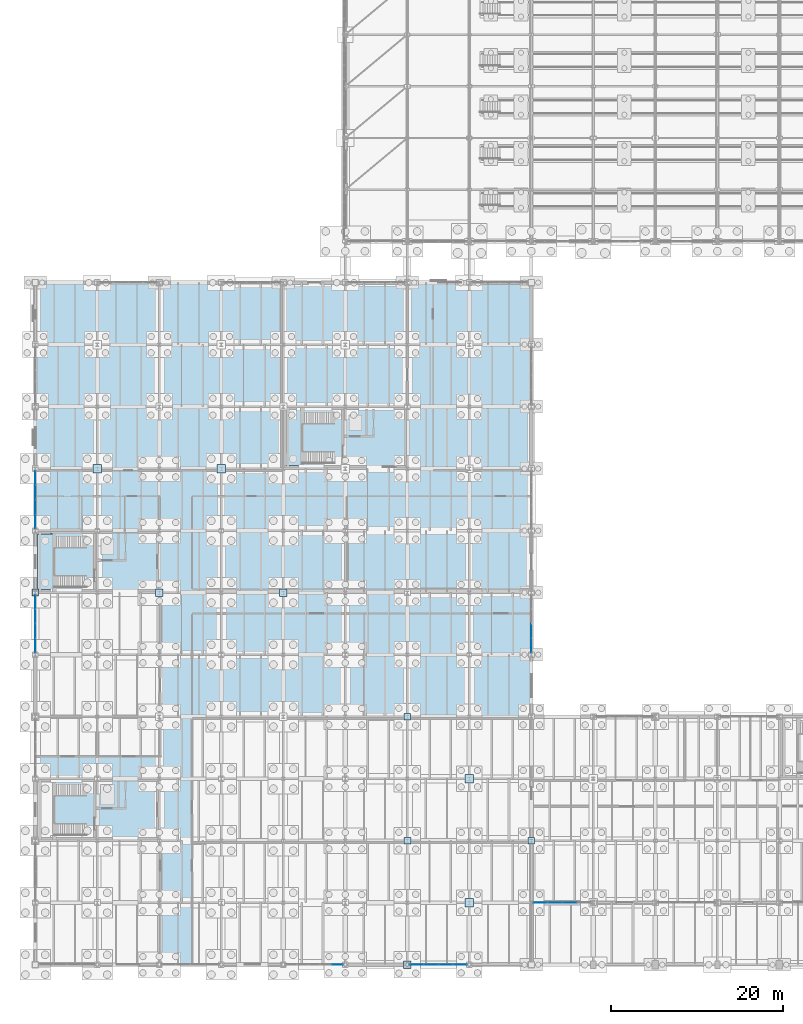
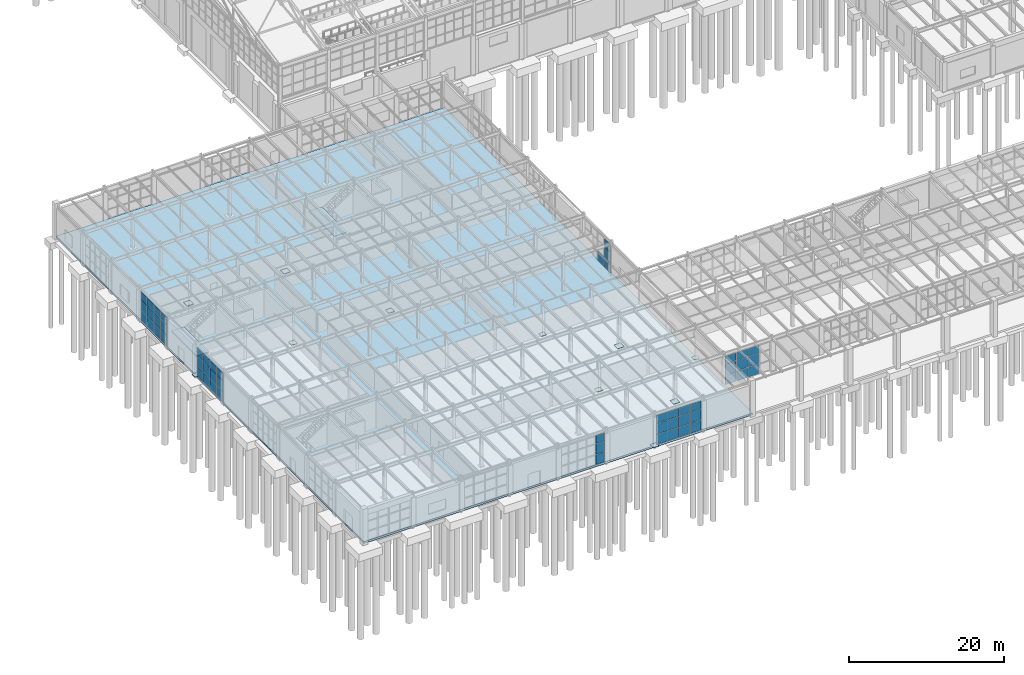
# One storey, part 233 of 293: 63 plates, 3 slabs, 8 elements without a shape of their own.
"""IFC4 building model written with IfcOpenShell, lengths in metres."""

from ifc_helpers import new_model, si_unit, direction, frame, origin, origin_2d, place, context, subcontext, project, spatial, polyline, rectangle, outline, extrude, material, layer, layer_set, type_object, element, aggregate, save


model = new_model("IFC4")

# Units and contexts
model_context = context("Model", 3, precision=1e-05, world=origin(), true_north=direction((0.0, 1.0)))
body_context = subcontext(model_context, "Body", "Model", "MODEL_VIEW")
ifc_project = project(units=[si_unit("LENGTHUNIT", "METRE"), si_unit("AREAUNIT", "SQUARE_METRE"), si_unit("VOLUMEUNIT", "CUBIC_METRE"), si_unit("PLANEANGLEUNIT", "RADIAN"), si_unit("MASSUNIT", "GRAM", prefix="KILO")], contexts=[model_context])

# Site, building, storey
site_placement = place(None, origin())
site = spatial("IfcSite", under=ifc_project, at=site_placement, CompositionType="ELEMENT")
building_placement = place(site_placement, origin())
building = spatial("IfcBuilding", under=site, at=building_placement, Name="Kemerveld Promenade Tramway Depot", CompositionType="ELEMENT")
storey_placement = place(building_placement, origin())
storey = spatial("IfcBuildingStorey", under=building, at=storey_placement, Name="L00", CompositionType="ELEMENT", Elevation=0.0)

# Curtain wall, plates
ifc_material_1 = material(Name="Bronze anodised aluminium and solar glass", Category="aluminium")
ifc_layer_1 = layer(ifc_material_1, 0.159912109375)
ifc_layer_set_1 = layer_set([ifc_layer_1], Name="CW-SYS-09")
curtain_wall_type_1 = type_object("IfcCurtainWallType", Name="CW-SYS-09", PredefinedType="USERDEFINED", material=ifc_layer_set_1)
curtain_wall_1_placement = place(storey_placement, origin())
curtain_wall_1 = element("IfcCurtainWall", 1, at=curtain_wall_1_placement, inside=storey, type_object=curtain_wall_type_1, Name="CW-L00-V5W-06", ObjectType="GLAZED_CURTAIN_WALL", PredefinedType="USERDEFINED")
ifc_material_2 = material(Name="Solar-control laminated double glazing", Category="glass")
ifc_layer_2 = layer(ifc_material_2, 0.028076171875)
ifc_layer_set_2 = layer_set([ifc_layer_2], Name="CW-PNL-01")
plate_type_1 = type_object("IfcPlateType", Name="CW-PNL-01", PredefinedType="CURTAIN_PANEL", material=ifc_layer_set_2)
plate_1_placement = place(storey_placement, frame((0.0, 37.071044921875, 0.06005859375), z_axis=(0.0, 0.0, 1.0), x_axis=(0.0, 1.0, 0.0)))
plate_1 = element("IfcPlate", 2, at=plate_1_placement, type_object=plate_type_1, Name="CW09 panel 1.1", PredefinedType="CURTAIN_PANEL", context=body_context, shape_type="SweptSolid", body=[
    extrude(rectangle(XDim=1.599365234375, YDim=0.028076171875, at=origin_2d()), origin(), (0.0, 0.0, 1.0), 1.51806640625),
])
plate_2_placement = place(storey_placement, frame((0.0, 37.071044921875, 1.63818359375), z_axis=(0.0, 0.0, 1.0), x_axis=(0.0, 1.0, 0.0)))
plate_2 = element("IfcPlate", 3, at=plate_2_placement, type_object=plate_type_1, Name="CW09 panel 1.2", PredefinedType="CURTAIN_PANEL", context=body_context, shape_type="SweptSolid", body=[
    extrude(rectangle(XDim=1.599365234375, YDim=0.028076171875, at=origin_2d()), origin(), (0.0, 0.0, 1.0), 1.638916015625),
])
plate_3_placement = place(storey_placement, frame((0.0, 37.071044921875, 3.337158203125), z_axis=(0.0, 0.0, 1.0), x_axis=(0.0, 1.0, 0.0)))
plate_3 = element("IfcPlate", 4, at=plate_3_placement, type_object=plate_type_1, Name="CW09 panel 1.3", PredefinedType="CURTAIN_PANEL", context=body_context, shape_type="SweptSolid", body=[
    extrude(rectangle(XDim=1.599365234375, YDim=0.028076171875, at=origin_2d()), origin(), (0.0, 0.0, 1.0), 1.1962890625),
])
plate_4_placement = place(storey_placement, frame((0.0, 38.75146484375, 0.06005859375), z_axis=(0.0, 0.0, 1.0), x_axis=(0.0, 1.0, 0.0)))
plate_4 = element("IfcPlate", 5, at=plate_4_placement, type_object=plate_type_1, Name="CW09 panel 2.1", PredefinedType="CURTAIN_PANEL", context=body_context, shape_type="SweptSolid", body=[
    extrude(rectangle(XDim=1.6318359375, YDim=0.028076171875, at=origin_2d()), origin(), (0.0, 0.0, 1.0), 1.51806640625),
])
plate_5_placement = place(storey_placement, frame((0.0, 38.75146484375, 1.63818359375), z_axis=(0.0, 0.0, 1.0), x_axis=(0.0, 1.0, 0.0)))
plate_5 = element("IfcPlate", 6, at=plate_5_placement, type_object=plate_type_1, Name="CW09 panel 2.2", PredefinedType="CURTAIN_PANEL", context=body_context, shape_type="SweptSolid", body=[
    extrude(rectangle(XDim=1.6318359375, YDim=0.028076171875, at=origin_2d()), origin(), (0.0, 0.0, 1.0), 1.638916015625),
])
plate_6_placement = place(storey_placement, frame((0.0, 38.75146484375, 3.337158203125), z_axis=(0.0, 0.0, 1.0), x_axis=(0.0, 1.0, 0.0)))
plate_6 = element("IfcPlate", 7, at=plate_6_placement, type_object=plate_type_1, Name="CW09 panel 2.3", PredefinedType="CURTAIN_PANEL", context=body_context, shape_type="SweptSolid", body=[
    extrude(rectangle(XDim=1.6318359375, YDim=0.028076171875, at=origin_2d()), origin(), (0.0, 0.0, 1.0), 1.1962890625),
])
plate_7_placement = place(storey_placement, frame((0.0, 40.448486328125, 0.06005859375), z_axis=(0.0, 0.0, 1.0), x_axis=(0.0, 1.0, 0.0)))
plate_7 = element("IfcPlate", 8, at=plate_7_placement, type_object=plate_type_1, Name="CW09 panel 3.1", PredefinedType="CURTAIN_PANEL", context=body_context, shape_type="SweptSolid", body=[
    extrude(rectangle(XDim=1.6318359375, YDim=0.028076171875, at=origin_2d()), origin(), (0.0, 0.0, 1.0), 1.51806640625),
])
plate_8_placement = place(storey_placement, frame((0.0, 40.448486328125, 1.63818359375), z_axis=(0.0, 0.0, 1.0), x_axis=(0.0, 1.0, 0.0)))
plate_8 = element("IfcPlate", 9, at=plate_8_placement, type_object=plate_type_1, Name="CW09 panel 3.2", PredefinedType="CURTAIN_PANEL", context=body_context, shape_type="SweptSolid", body=[
    extrude(rectangle(XDim=1.6318359375, YDim=0.028076171875, at=origin_2d()), origin(), (0.0, 0.0, 1.0), 1.638916015625),
])
plate_9_placement = place(storey_placement, frame((0.0, 40.448486328125, 3.337158203125), z_axis=(0.0, 0.0, 1.0), x_axis=(0.0, 1.0, 0.0)))
plate_9 = element("IfcPlate", 10, at=plate_9_placement, type_object=plate_type_1, Name="CW09 panel 3.3", PredefinedType="CURTAIN_PANEL", context=body_context, shape_type="SweptSolid", body=[
    extrude(rectangle(XDim=1.6318359375, YDim=0.028076171875, at=origin_2d()), origin(), (0.0, 0.0, 1.0), 1.1962890625),
])
plate_10_placement = place(storey_placement, frame((0.0, 42.12890625, 0.06005859375), z_axis=(0.0, 0.0, 1.0), x_axis=(0.0, 1.0, 0.0)))
plate_10 = element("IfcPlate", 11, at=plate_10_placement, type_object=plate_type_1, Name="CW09 panel 4.1", PredefinedType="CURTAIN_PANEL", context=body_context, shape_type="SweptSolid", body=[
    extrude(rectangle(XDim=1.599365234375, YDim=0.028076171875, at=origin_2d()), origin(), (0.0, 0.0, 1.0), 1.51806640625),
])
plate_11_placement = place(storey_placement, frame((0.0, 42.12890625, 1.63818359375), z_axis=(0.0, 0.0, 1.0), x_axis=(0.0, 1.0, 0.0)))
plate_11 = element("IfcPlate", 12, at=plate_11_placement, type_object=plate_type_1, Name="CW09 panel 4.2", PredefinedType="CURTAIN_PANEL", context=body_context, shape_type="SweptSolid", body=[
    extrude(rectangle(XDim=1.599365234375, YDim=0.028076171875, at=origin_2d()), origin(), (0.0, 0.0, 1.0), 1.638916015625),
])
plate_12_placement = place(storey_placement, frame((0.0, 42.12890625, 3.337158203125), z_axis=(0.0, 0.0, 1.0), x_axis=(0.0, 1.0, 0.0)))
plate_12 = element("IfcPlate", 13, at=plate_12_placement, type_object=plate_type_1, Name="CW09 panel 4.3", PredefinedType="CURTAIN_PANEL", context=body_context, shape_type="SweptSolid", body=[
    extrude(rectangle(XDim=1.599365234375, YDim=0.028076171875, at=origin_2d()), origin(), (0.0, 0.0, 1.0), 1.1962890625),
])
aggregate(curtain_wall_1, [plate_1, plate_2, plate_3, plate_4, plate_5, plate_6, plate_7, plate_8, plate_9, plate_10, plate_11, plate_12])

curtain_wall_2_placement = place(storey_placement, origin())
curtain_wall_2 = element("IfcCurtainWall", 14, at=curtain_wall_2_placement, inside=storey, type_object=curtain_wall_type_1, Name="CW-L00-V5E-06", ObjectType="GLAZED_CURTAIN_WALL", PredefinedType="USERDEFINED")
plate_13_placement = place(storey_placement, frame((57.60009765625, 38.75146484375, 0.06005859375), z_axis=(0.0, 0.0, 1.0), x_axis=(0.0, -1.0, 0.0)))
plate_13 = element("IfcPlate", 15, at=plate_13_placement, type_object=plate_type_1, Name="CW09 panel 3.1", PredefinedType="CURTAIN_PANEL", context=body_context, shape_type="SweptSolid", body=[
    extrude(rectangle(XDim=1.6318359375, YDim=0.028076171875, at=origin_2d()), origin(), (0.0, 0.0, 1.0), 1.51806640625),
])
plate_14_placement = place(storey_placement, frame((57.60009765625, 37.071044921875, 0.06005859375), z_axis=(0.0, 0.0, 1.0), x_axis=(0.0, -1.0, 0.0)))
plate_14 = element("IfcPlate", 16, at=plate_14_placement, type_object=plate_type_1, Name="CW09 panel 4.1", PredefinedType="CURTAIN_PANEL", context=body_context, shape_type="SweptSolid", body=[
    extrude(rectangle(XDim=1.599365234375, YDim=0.028076171875, at=origin_2d()), origin(), (0.0, 0.0, 1.0), 1.51806640625),
])
plate_15_placement = place(storey_placement, frame((57.60009765625, 37.071044921875, 1.63818359375), z_axis=(0.0, 0.0, 1.0), x_axis=(0.0, -1.0, 0.0)))
plate_15 = element("IfcPlate", 17, at=plate_15_placement, type_object=plate_type_1, Name="CW09 panel 4.2", PredefinedType="CURTAIN_PANEL", context=body_context, shape_type="SweptSolid", body=[
    extrude(rectangle(XDim=1.599365234375, YDim=0.028076171875, at=origin_2d()), origin(), (0.0, 0.0, 1.0), 1.638916015625),
])
plate_16_placement = place(storey_placement, frame((57.60009765625, 37.071044921875, 3.337158203125), z_axis=(0.0, 0.0, 1.0), x_axis=(0.0, -1.0, 0.0)))
plate_16 = element("IfcPlate", 18, at=plate_16_placement, type_object=plate_type_1, Name="CW09 panel 4.3", PredefinedType="CURTAIN_PANEL", context=body_context, shape_type="SweptSolid", body=[
    extrude(rectangle(XDim=1.599365234375, YDim=0.028076171875, at=origin_2d()), origin(), (0.0, 0.0, 1.0), 1.1962890625),
])
aggregate(curtain_wall_2, [plate_13, plate_14, plate_15, plate_16])

ifc_layer_3 = layer(ifc_material_1, 0.159912109375)
ifc_layer_set_3 = layer_set([ifc_layer_3], Name="CW-SYS-03")
curtain_wall_type_2 = type_object("IfcCurtainWallType", Name="CW-SYS-03", PredefinedType="USERDEFINED", material=ifc_layer_set_3)
curtain_wall_3_placement = place(storey_placement, origin())
curtain_wall_3 = element("IfcCurtainWall", 19, at=curtain_wall_3_placement, inside=storey, type_object=curtain_wall_type_2, Name="CW-L00-V4S-14", ObjectType="GLAZED_CURTAIN_WALL", PredefinedType="USERDEFINED")
plate_17_placement = place(storey_placement, frame((62.051025390625, 7.199951171875, 0.06005859375), z_axis=(0.0, 0.0, 1.0), x_axis=(-1.0, 0.0, 0.0)))
plate_17 = element("IfcPlate", 20, at=plate_17_placement, type_object=plate_type_1, Name="CW03 panel 2.1", PredefinedType="CURTAIN_PANEL", context=body_context, shape_type="SweptSolid", body=[
    extrude(rectangle(XDim=1.636962890625, YDim=0.028076171875, at=origin_2d()), origin(), (0.0, 0.0, 1.0), 1.51806640625),
])
plate_18_placement = place(storey_placement, frame((62.051025390625, 7.199951171875, 1.63818359375), z_axis=(0.0, 0.0, 1.0), x_axis=(-1.0, 0.0, 0.0)))
plate_18 = element("IfcPlate", 21, at=plate_18_placement, type_object=plate_type_1, Name="CW03 panel 2.2", PredefinedType="CURTAIN_PANEL", context=body_context, shape_type="SweptSolid", body=[
    extrude(rectangle(XDim=1.636962890625, YDim=0.028076171875, at=origin_2d()), origin(), (0.0, 0.0, 1.0), 1.638916015625),
])
plate_19_placement = place(storey_placement, frame((62.051025390625, 7.199951171875, 3.337158203125), z_axis=(0.0, 0.0, 1.0), x_axis=(-1.0, 0.0, 0.0)))
plate_19 = element("IfcPlate", 22, at=plate_19_placement, type_object=plate_type_1, Name="CW03 panel 2.3", PredefinedType="CURTAIN_PANEL", context=body_context, shape_type="SweptSolid", body=[
    extrude(rectangle(XDim=1.636962890625, YDim=0.028076171875, at=origin_2d()), origin(), (0.0, 0.0, 1.0), 1.1962890625),
])
plate_20_placement = place(storey_placement, frame((60.34912109375, 7.199951171875, 0.06005859375), z_axis=(0.0, 0.0, 1.0), x_axis=(-1.0, 0.0, 0.0)))
plate_20 = element("IfcPlate", 23, at=plate_20_placement, type_object=plate_type_1, Name="CW03 panel 3.1", PredefinedType="CURTAIN_PANEL", context=body_context, shape_type="SweptSolid", body=[
    extrude(rectangle(XDim=1.636962890625, YDim=0.028076171875, at=origin_2d()), origin(), (0.0, 0.0, 1.0), 1.51806640625),
])
plate_21_placement = place(storey_placement, frame((60.34912109375, 7.199951171875, 1.63818359375), z_axis=(0.0, 0.0, 1.0), x_axis=(-1.0, 0.0, 0.0)))
plate_21 = element("IfcPlate", 24, at=plate_21_placement, type_object=plate_type_1, Name="CW03 panel 3.2", PredefinedType="CURTAIN_PANEL", context=body_context, shape_type="SweptSolid", body=[
    extrude(rectangle(XDim=1.636962890625, YDim=0.028076171875, at=origin_2d()), origin(), (0.0, 0.0, 1.0), 1.638916015625),
])
plate_22_placement = place(storey_placement, frame((60.34912109375, 7.199951171875, 3.337158203125), z_axis=(0.0, 0.0, 1.0), x_axis=(-1.0, 0.0, 0.0)))
plate_22 = element("IfcPlate", 25, at=plate_22_placement, type_object=plate_type_1, Name="CW03 panel 3.3", PredefinedType="CURTAIN_PANEL", context=body_context, shape_type="SweptSolid", body=[
    extrude(rectangle(XDim=1.636962890625, YDim=0.028076171875, at=origin_2d()), origin(), (0.0, 0.0, 1.0), 1.1962890625),
])
plate_23_placement = place(storey_placement, frame((58.66357421875, 7.199951171875, 0.06005859375), z_axis=(0.0, 0.0, 1.0), x_axis=(-1.0, 0.0, 0.0)))
plate_23 = element("IfcPlate", 26, at=plate_23_placement, type_object=plate_type_1, Name="CW03 panel 4.1", PredefinedType="CURTAIN_PANEL", context=body_context, shape_type="SweptSolid", body=[
    extrude(rectangle(XDim=1.604248046875, YDim=0.028076171875, at=origin_2d()), origin(), (0.0, 0.0, 1.0), 1.51806640625),
])
plate_24_placement = place(storey_placement, frame((58.66357421875, 7.199951171875, 1.63818359375), z_axis=(0.0, 0.0, 1.0), x_axis=(-1.0, 0.0, 0.0)))
plate_24 = element("IfcPlate", 27, at=plate_24_placement, type_object=plate_type_1, Name="CW03 panel 4.2", PredefinedType="CURTAIN_PANEL", context=body_context, shape_type="SweptSolid", body=[
    extrude(rectangle(XDim=1.604248046875, YDim=0.028076171875, at=origin_2d()), origin(), (0.0, 0.0, 1.0), 1.638916015625),
])
plate_25_placement = place(storey_placement, frame((58.66357421875, 7.199951171875, 3.337158203125), z_axis=(0.0, 0.0, 1.0), x_axis=(-1.0, 0.0, 0.0)))
plate_25 = element("IfcPlate", 28, at=plate_25_placement, type_object=plate_type_1, Name="CW03 panel 4.3", PredefinedType="CURTAIN_PANEL", context=body_context, shape_type="SweptSolid", body=[
    extrude(rectangle(XDim=1.604248046875, YDim=0.028076171875, at=origin_2d()), origin(), (0.0, 0.0, 1.0), 1.1962890625),
])
aggregate(curtain_wall_3, [plate_17, plate_18, plate_19, plate_20, plate_21, plate_22, plate_23, plate_24, plate_25])

ifc_layer_4 = layer(ifc_material_1, 0.159912109375)
ifc_layer_set_4 = layer_set([ifc_layer_4], Name="CW-SYS-11")
curtain_wall_type_3 = type_object("IfcCurtainWallType", Name="CW-SYS-11", PredefinedType="USERDEFINED", material=ifc_layer_set_4)
curtain_wall_4_placement = place(storey_placement, origin())
curtain_wall_4 = element("IfcCurtainWall", 29, at=curtain_wall_4_placement, inside=storey, type_object=curtain_wall_type_3, Name="CW-L00-V5W-08", ObjectType="GLAZED_CURTAIN_WALL", PredefinedType="USERDEFINED")
ifc_layer_5 = layer(ifc_material_2, 0.028076171875)
ifc_layer_set_5 = layer_set([ifc_layer_5], Name="CW-PNL-03")
plate_type_2 = type_object("IfcPlateType", Name="CW-PNL-03", PredefinedType="CURTAIN_PANEL", material=ifc_layer_set_5)
plate_26_placement = place(storey_placement, frame((0.0, 51.470947265625, 0.06005859375), z_axis=(0.0, 0.0, 1.0), x_axis=(0.0, 1.0, 0.0)))
plate_26 = element("IfcPlate", 30, at=plate_26_placement, type_object=plate_type_2, Name="CW11 panel 1.1", PredefinedType="CURTAIN_PANEL", context=body_context, shape_type="SweptSolid", body=[
    extrude(rectangle(XDim=1.599365234375, YDim=0.028076171875, at=origin_2d()), origin(), (0.0, 0.0, 1.0), 1.51806640625),
])
plate_27_placement = place(storey_placement, frame((0.0, 51.470947265625, 1.63818359375), z_axis=(0.0, 0.0, 1.0), x_axis=(0.0, 1.0, 0.0)))
plate_27 = element("IfcPlate", 31, at=plate_27_placement, type_object=plate_type_2, Name="CW11 panel 1.2", PredefinedType="CURTAIN_PANEL", context=body_context, shape_type="SweptSolid", body=[
    extrude(rectangle(XDim=1.599365234375, YDim=0.028076171875, at=origin_2d()), origin(), (0.0, 0.0, 1.0), 1.638916015625),
])
plate_28_placement = place(storey_placement, frame((0.0, 51.470947265625, 3.337158203125), z_axis=(0.0, 0.0, 1.0), x_axis=(0.0, 1.0, 0.0)))
plate_28 = element("IfcPlate", 32, at=plate_28_placement, type_object=plate_type_2, Name="CW11 panel 1.3", PredefinedType="CURTAIN_PANEL", context=body_context, shape_type="SweptSolid", body=[
    extrude(rectangle(XDim=1.599365234375, YDim=0.028076171875, at=origin_2d()), origin(), (0.0, 0.0, 1.0), 1.1962890625),
])
plate_29_placement = place(storey_placement, frame((0.0, 53.151611328125, 0.06005859375), z_axis=(0.0, 0.0, 1.0), x_axis=(0.0, 1.0, 0.0)))
plate_29 = element("IfcPlate", 33, at=plate_29_placement, type_object=plate_type_2, Name="CW11 panel 2.1", PredefinedType="CURTAIN_PANEL", context=body_context, shape_type="SweptSolid", body=[
    extrude(rectangle(XDim=1.6318359375, YDim=0.028076171875, at=origin_2d()), origin(), (0.0, 0.0, 1.0), 1.51806640625),
])
plate_30_placement = place(storey_placement, frame((0.0, 53.151611328125, 1.63818359375), z_axis=(0.0, 0.0, 1.0), x_axis=(0.0, 1.0, 0.0)))
plate_30 = element("IfcPlate", 34, at=plate_30_placement, type_object=plate_type_2, Name="CW11 panel 2.2", PredefinedType="CURTAIN_PANEL", context=body_context, shape_type="SweptSolid", body=[
    extrude(rectangle(XDim=1.6318359375, YDim=0.028076171875, at=origin_2d()), origin(), (0.0, 0.0, 1.0), 1.638916015625),
])
plate_31_placement = place(storey_placement, frame((0.0, 53.151611328125, 3.337158203125), z_axis=(0.0, 0.0, 1.0), x_axis=(0.0, 1.0, 0.0)))
plate_31 = element("IfcPlate", 35, at=plate_31_placement, type_object=plate_type_2, Name="CW11 panel 2.3", PredefinedType="CURTAIN_PANEL", context=body_context, shape_type="SweptSolid", body=[
    extrude(rectangle(XDim=1.6318359375, YDim=0.028076171875, at=origin_2d()), origin(), (0.0, 0.0, 1.0), 1.1962890625),
])
plate_32_placement = place(storey_placement, frame((0.0, 54.848388671875, 0.06005859375), z_axis=(0.0, 0.0, 1.0), x_axis=(0.0, 1.0, 0.0)))
plate_32 = element("IfcPlate", 36, at=plate_32_placement, type_object=plate_type_2, Name="CW11 panel 3.1", PredefinedType="CURTAIN_PANEL", context=body_context, shape_type="SweptSolid", body=[
    extrude(rectangle(XDim=1.6318359375, YDim=0.028076171875, at=origin_2d()), origin(), (0.0, 0.0, 1.0), 1.51806640625),
])
plate_33_placement = place(storey_placement, frame((0.0, 54.848388671875, 1.63818359375), z_axis=(0.0, 0.0, 1.0), x_axis=(0.0, 1.0, 0.0)))
plate_33 = element("IfcPlate", 37, at=plate_33_placement, type_object=plate_type_2, Name="CW11 panel 3.2", PredefinedType="CURTAIN_PANEL", context=body_context, shape_type="SweptSolid", body=[
    extrude(rectangle(XDim=1.6318359375, YDim=0.028076171875, at=origin_2d()), origin(), (0.0, 0.0, 1.0), 1.638916015625),
])
plate_34_placement = place(storey_placement, frame((0.0, 54.848388671875, 3.337158203125), z_axis=(0.0, 0.0, 1.0), x_axis=(0.0, 1.0, 0.0)))
plate_34 = element("IfcPlate", 38, at=plate_34_placement, type_object=plate_type_2, Name="CW11 panel 3.3", PredefinedType="CURTAIN_PANEL", context=body_context, shape_type="SweptSolid", body=[
    extrude(rectangle(XDim=1.6318359375, YDim=0.028076171875, at=origin_2d()), origin(), (0.0, 0.0, 1.0), 1.1962890625),
])
plate_35_placement = place(storey_placement, frame((0.0, 56.529052734375, 0.06005859375), z_axis=(0.0, 0.0, 1.0), x_axis=(0.0, 1.0, 0.0)))
plate_35 = element("IfcPlate", 39, at=plate_35_placement, type_object=plate_type_2, Name="CW11 panel 4.1", PredefinedType="CURTAIN_PANEL", context=body_context, shape_type="SweptSolid", body=[
    extrude(rectangle(XDim=1.599365234375, YDim=0.028076171875, at=origin_2d()), origin(), (0.0, 0.0, 1.0), 1.51806640625),
])
plate_36_placement = place(storey_placement, frame((0.0, 56.529052734375, 1.63818359375), z_axis=(0.0, 0.0, 1.0), x_axis=(0.0, 1.0, 0.0)))
plate_36 = element("IfcPlate", 40, at=plate_36_placement, type_object=plate_type_2, Name="CW11 panel 4.2", PredefinedType="CURTAIN_PANEL", context=body_context, shape_type="SweptSolid", body=[
    extrude(rectangle(XDim=1.599365234375, YDim=0.028076171875, at=origin_2d()), origin(), (0.0, 0.0, 1.0), 1.638916015625),
])
plate_37_placement = place(storey_placement, frame((0.0, 56.529052734375, 3.337158203125), z_axis=(0.0, 0.0, 1.0), x_axis=(0.0, 1.0, 0.0)))
plate_37 = element("IfcPlate", 41, at=plate_37_placement, type_object=plate_type_2, Name="CW11 panel 4.3", PredefinedType="CURTAIN_PANEL", context=body_context, shape_type="SweptSolid", body=[
    extrude(rectangle(XDim=1.599365234375, YDim=0.028076171875, at=origin_2d()), origin(), (0.0, 0.0, 1.0), 1.1962890625),
])
aggregate(curtain_wall_4, [plate_26, plate_27, plate_28, plate_29, plate_30, plate_31, plate_32, plate_33, plate_34, plate_35, plate_36, plate_37])

ifc_layer_6 = layer(ifc_material_1, 0.159912109375)
ifc_layer_set_6 = layer_set([ifc_layer_6], Name="CW-SYS-05")
curtain_wall_type_4 = type_object("IfcCurtainWallType", Name="CW-SYS-05", PredefinedType="USERDEFINED", material=ifc_layer_set_6)
curtain_wall_5_placement = place(storey_placement, origin())
curtain_wall_5 = element("IfcCurtainWall", 42, at=curtain_wall_5_placement, inside=storey, type_object=curtain_wall_type_4, Name="CW-L00-V5S-02", ObjectType="GLAZED_CURTAIN_WALL", PredefinedType="USERDEFINED")
ifc_layer_7 = layer(ifc_material_2, 0.031982421875)
ifc_layer_set_7 = layer_set([ifc_layer_7], Name="CW-PNL-05")
plate_type_3 = type_object("IfcPlateType", Name="CW-PNL-05", PredefinedType="CURTAIN_PANEL", material=ifc_layer_set_7)
plate_38_placement = place(storey_placement, frame((49.31640625, 0.0, 0.06005859375), z_axis=(0.0, 0.0, 1.0), x_axis=(-1.0, 0.0, 0.0)))
plate_38 = element("IfcPlate", 43, at=plate_38_placement, type_object=plate_type_3, Name="CW05 panel 1.1", PredefinedType="CURTAIN_PANEL", context=body_context, shape_type="SweptSolid", body=[
    extrude(rectangle(XDim=1.5908203125, YDim=0.031982421875, at=origin_2d()), origin(), (0.0, 0.0, 1.0), 1.537109375),
])
plate_39_placement = place(storey_placement, frame((49.31640625, 0.0, 1.6572265625), z_axis=(0.0, 0.0, 1.0), x_axis=(-1.0, 0.0, 0.0)))
plate_39 = element("IfcPlate", 44, at=plate_39_placement, type_object=plate_type_3, Name="CW05 panel 1.2", PredefinedType="CURTAIN_PANEL", context=body_context, shape_type="SweptSolid", body=[
    extrude(rectangle(XDim=1.5908203125, YDim=0.031982421875, at=origin_2d()), origin(), (0.0, 0.0, 1.0), 1.660888671875),
])
plate_40_placement = place(storey_placement, frame((49.31640625, 0.0, 3.3779296875), z_axis=(0.0, 0.0, 1.0), x_axis=(-1.0, 0.0, 0.0)))
plate_40 = element("IfcPlate", 45, at=plate_40_placement, type_object=plate_type_3, Name="CW05 panel 1.3", PredefinedType="CURTAIN_PANEL", context=body_context, shape_type="SweptSolid", body=[
    extrude(rectangle(XDim=1.5908203125, YDim=0.031982421875, at=origin_2d()), origin(), (0.0, 0.0, 1.0), 1.2119140625),
])
plate_41_placement = place(storey_placement, frame((47.644287109375, 0.0, 0.06005859375), z_axis=(0.0, 0.0, 1.0), x_axis=(-1.0, 0.0, 0.0)))
plate_41 = element("IfcPlate", 46, at=plate_41_placement, type_object=plate_type_3, Name="CW05 panel 2.1", PredefinedType="CURTAIN_PANEL", context=body_context, shape_type="SweptSolid", body=[
    extrude(rectangle(XDim=1.623291015625, YDim=0.031982421875, at=origin_2d()), origin(), (0.0, 0.0, 1.0), 1.537109375),
])
plate_42_placement = place(storey_placement, frame((47.644287109375, 0.0, 1.6572265625), z_axis=(0.0, 0.0, 1.0), x_axis=(-1.0, 0.0, 0.0)))
plate_42 = element("IfcPlate", 47, at=plate_42_placement, type_object=plate_type_3, Name="CW05 panel 2.2", PredefinedType="CURTAIN_PANEL", context=body_context, shape_type="SweptSolid", body=[
    extrude(rectangle(XDim=1.623291015625, YDim=0.031982421875, at=origin_2d()), origin(), (0.0, 0.0, 1.0), 1.660888671875),
])
plate_43_placement = place(storey_placement, frame((47.644287109375, 0.0, 3.3779296875), z_axis=(0.0, 0.0, 1.0), x_axis=(-1.0, 0.0, 0.0)))
plate_43 = element("IfcPlate", 48, at=plate_43_placement, type_object=plate_type_3, Name="CW05 panel 2.3", PredefinedType="CURTAIN_PANEL", context=body_context, shape_type="SweptSolid", body=[
    extrude(rectangle(XDim=1.623291015625, YDim=0.031982421875, at=origin_2d()), origin(), (0.0, 0.0, 1.0), 1.2119140625),
])
plate_44_placement = place(storey_placement, frame((45.955810546875, 0.0, 0.06005859375), z_axis=(0.0, 0.0, 1.0), x_axis=(-1.0, 0.0, 0.0)))
plate_44 = element("IfcPlate", 49, at=plate_44_placement, type_object=plate_type_3, Name="CW05 panel 3.1", PredefinedType="CURTAIN_PANEL", context=body_context, shape_type="SweptSolid", body=[
    extrude(rectangle(XDim=1.623291015625, YDim=0.031982421875, at=origin_2d()), origin(), (0.0, 0.0, 1.0), 1.537109375),
])
plate_45_placement = place(storey_placement, frame((45.955810546875, 0.0, 1.6572265625), z_axis=(0.0, 0.0, 1.0), x_axis=(-1.0, 0.0, 0.0)))
plate_45 = element("IfcPlate", 50, at=plate_45_placement, type_object=plate_type_3, Name="CW05 panel 3.2", PredefinedType="CURTAIN_PANEL", context=body_context, shape_type="SweptSolid", body=[
    extrude(rectangle(XDim=1.623291015625, YDim=0.031982421875, at=origin_2d()), origin(), (0.0, 0.0, 1.0), 1.660888671875),
])
plate_46_placement = place(storey_placement, frame((45.955810546875, 0.0, 3.3779296875), z_axis=(0.0, 0.0, 1.0), x_axis=(-1.0, 0.0, 0.0)))
plate_46 = element("IfcPlate", 51, at=plate_46_placement, type_object=plate_type_3, Name="CW05 panel 3.3", PredefinedType="CURTAIN_PANEL", context=body_context, shape_type="SweptSolid", body=[
    extrude(rectangle(XDim=1.623291015625, YDim=0.031982421875, at=origin_2d()), origin(), (0.0, 0.0, 1.0), 1.2119140625),
])
plate_47_placement = place(storey_placement, frame((44.28369140625, 0.0, 0.06005859375), z_axis=(0.0, 0.0, 1.0), x_axis=(-1.0, 0.0, 0.0)))
plate_47 = element("IfcPlate", 52, at=plate_47_placement, type_object=plate_type_3, Name="CW05 panel 4.1", PredefinedType="CURTAIN_PANEL", context=body_context, shape_type="SweptSolid", body=[
    extrude(rectangle(XDim=1.5908203125, YDim=0.031982421875, at=origin_2d()), origin(), (0.0, 0.0, 1.0), 1.537109375),
])
plate_48_placement = place(storey_placement, frame((44.28369140625, 0.0, 1.6572265625), z_axis=(0.0, 0.0, 1.0), x_axis=(-1.0, 0.0, 0.0)))
plate_48 = element("IfcPlate", 53, at=plate_48_placement, type_object=plate_type_3, Name="CW05 panel 4.2", PredefinedType="CURTAIN_PANEL", context=body_context, shape_type="SweptSolid", body=[
    extrude(rectangle(XDim=1.5908203125, YDim=0.031982421875, at=origin_2d()), origin(), (0.0, 0.0, 1.0), 1.660888671875),
])
plate_49_placement = place(storey_placement, frame((44.28369140625, 0.0, 3.3779296875), z_axis=(0.0, 0.0, 1.0), x_axis=(-1.0, 0.0, 0.0)))
plate_49 = element("IfcPlate", 54, at=plate_49_placement, type_object=plate_type_3, Name="CW05 panel 4.3", PredefinedType="CURTAIN_PANEL", context=body_context, shape_type="SweptSolid", body=[
    extrude(rectangle(XDim=1.5908203125, YDim=0.031982421875, at=origin_2d()), origin(), (0.0, 0.0, 1.0), 1.2119140625),
])
aggregate(curtain_wall_5, [plate_38, plate_39, plate_40, plate_41, plate_42, plate_43, plate_44, plate_45, plate_46, plate_47, plate_48, plate_49])

ifc_layer_8 = layer(ifc_material_1, 0.159912109375)
ifc_layer_set_8 = layer_set([ifc_layer_8], Name="CW-SYS-07")
curtain_wall_type_5 = type_object("IfcCurtainWallType", Name="CW-SYS-07", PredefinedType="USERDEFINED", material=ifc_layer_set_8)
curtain_wall_6_placement = place(storey_placement, origin())
curtain_wall_6 = element("IfcCurtainWall", 55, at=curtain_wall_6_placement, inside=storey, type_object=curtain_wall_type_5, Name="CW-L00-V5S-04", ObjectType="GLAZED_CURTAIN_WALL", PredefinedType="USERDEFINED")
ifc_layer_9 = layer(ifc_material_2, 0.030029296875)
ifc_layer_set_9 = layer_set([ifc_layer_9], Name="CW-PNL-07")
plate_type_4 = type_object("IfcPlateType", Name="CW-PNL-07", PredefinedType="CURTAIN_PANEL", material=ifc_layer_set_9)
plate_50_placement = place(storey_placement, frame((35.085205078125, 0.0, 0.06005859375), z_axis=(0.0, 0.0, 1.0), x_axis=(-1.0, 0.0, 0.0)))
plate_50 = element("IfcPlate", 56, at=plate_50_placement, type_object=plate_type_4, Name="CW07 panel 1.1", PredefinedType="CURTAIN_PANEL", context=body_context, shape_type="SweptSolid", body=[
    extrude(rectangle(XDim=1.253173828125, YDim=0.030029296875, at=origin_2d()), origin(), (0.0, 0.0, 1.0), 1.537109375),
])
plate_51_placement = place(storey_placement, frame((35.085205078125, 0.0, 1.6572265625), z_axis=(0.0, 0.0, 1.0), x_axis=(-1.0, 0.0, 0.0)))
plate_51 = element("IfcPlate", 57, at=plate_51_placement, type_object=plate_type_4, Name="CW07 panel 1.2", PredefinedType="CURTAIN_PANEL", context=body_context, shape_type="SweptSolid", body=[
    extrude(rectangle(XDim=1.253173828125, YDim=0.030029296875, at=origin_2d()), origin(), (0.0, 0.0, 1.0), 1.660888671875),
])
plate_52_placement = place(storey_placement, frame((35.085205078125, 0.0, 3.3779296875), z_axis=(0.0, 0.0, 1.0), x_axis=(-1.0, 0.0, 0.0)))
plate_52 = element("IfcPlate", 58, at=plate_52_placement, type_object=plate_type_4, Name="CW07 panel 1.3", PredefinedType="CURTAIN_PANEL", context=body_context, shape_type="SweptSolid", body=[
    extrude(rectangle(XDim=1.253173828125, YDim=0.030029296875, at=origin_2d()), origin(), (0.0, 0.0, 1.0), 1.2119140625),
])
aggregate(curtain_wall_6, [plate_50, plate_51, plate_52])

# Plates
ifc_material_3 = material(Name="Steel S355", Category="steel")
ifc_layer_10 = layer(ifc_material_3, 0.0400390625)
ifc_layer_set_10 = layer_set([ifc_layer_10], Name="PL-BP02")
plate_type_5 = type_object("IfcPlateType", Name="PL-BP02", PredefinedType="USERDEFINED", material=ifc_layer_set_10)
for number, where, z_axis, x_axis, name in (
    (59, (14.39990234375, 43.199951171875, 0.0), (0.0, 0.0, 1.0), (1.0, 0.0, 0.0), "BP-03-G"),
    (60, (28.800048828125, 43.199951171875, 0.0), (0.0, 0.0, 1.0), (1.0, 0.0, 0.0), "BP-05-G"),
    (61, (43.199951171875, 0.0, 0.0), (0.0, 0.0, 1.0), (1.0, 0.0, 0.0), "BP-07-A"),
):
    element("IfcPlate", number, at=place(storey_placement, frame(where, z_axis=z_axis, x_axis=x_axis)), inside=storey, type_object=plate_type_5, Name=name, ObjectType="BASE_PLATE", PredefinedType="USERDEFINED", context=body_context, shape_type="SweptSolid", body=[
        extrude(rectangle(XDim=0.85009765625, YDim=0.85009765625, at=origin_2d()), origin(), (0.0, 0.0, 1.0), 0.0400390625),
    ])
ifc_layer_11 = layer(ifc_material_3, 0.0400390625)
ifc_layer_set_11 = layer_set([ifc_layer_11], Name="PL-BP03")
plate_type_6 = type_object("IfcPlateType", Name="PL-BP03", PredefinedType="USERDEFINED", material=ifc_layer_set_11)
for number, where, z_axis, x_axis, name in (
    (62, (0.0, 43.199951171875, 0.0), (0.0, 0.0, 1.0), (1.0, 0.0, 0.0), "BP-01-G"),
    (63, (43.199951171875, 14.39990234375, 0.0), (0.0, 0.0, 1.0), (1.0, 0.0, 0.0), "BP-07-C"),
):
    element("IfcPlate", number, at=place(storey_placement, frame(where, z_axis=z_axis, x_axis=x_axis)), inside=storey, type_object=plate_type_6, Name=name, ObjectType="BASE_PLATE", PredefinedType="USERDEFINED", context=body_context, shape_type="SweptSolid", body=[
        extrude(rectangle(XDim=0.800048828125, YDim=0.800048828125, at=origin_2d()), origin(), (0.0, 0.0, 1.0), 0.0400390625),
    ])
ifc_layer_12 = layer(ifc_material_3, 0.034912109375)
ifc_layer_set_12 = layer_set([ifc_layer_12], Name="PL-BP04")
plate_type_7 = type_object("IfcPlateType", Name="PL-BP04", PredefinedType="USERDEFINED", material=ifc_layer_set_12)
for number, where, z_axis, x_axis, name in (
    (64, (43.199951171875, 28.800048828125, 0.0), (0.0, 0.0, 1.0), (1.0, 0.0, 0.0), "BP-07-E"),
    (65, (57.60009765625, 14.39990234375, 0.0), (0.0, 0.0, 1.0), (1.0, 0.0, 0.0), "BP-09-C"),
):
    element("IfcPlate", number, at=place(storey_placement, frame(where, z_axis=z_axis, x_axis=x_axis)), inside=storey, type_object=plate_type_7, Name=name, ObjectType="BASE_PLATE", PredefinedType="USERDEFINED", context=body_context, shape_type="SweptSolid", body=[
        extrude(rectangle(XDim=0.75, YDim=0.75, at=origin_2d()), origin(), (0.0, 0.0, 1.0), 0.034912109375),
    ])
ifc_layer_13 = layer(ifc_material_3, 0.050048828125)
ifc_layer_set_13 = layer_set([ifc_layer_13], Name="PL-BP09")
plate_type_8 = type_object("IfcPlateType", Name="PL-BP09", PredefinedType="USERDEFINED", material=ifc_layer_set_13)
for number, where, z_axis, x_axis, name in (
    (66, (7.199951171875, 57.60009765625, 0.0), (0.0, 0.0, 1.0), (1.0, 0.0, 0.0), "BP-02-J"),
    (67, (21.60009765625, 57.60009765625, 0.0), (0.0, 0.0, 1.0), (1.0, 0.0, 0.0), "BP-04-J"),
    (68, (50.39990234375, 7.199951171875, 0.0), (0.0, 0.0, 1.0), (1.0, 0.0, 0.0), "BP-08-B"),
):
    element("IfcPlate", number, at=place(storey_placement, frame(where, z_axis=z_axis, x_axis=x_axis)), inside=storey, type_object=plate_type_8, Name=name, ObjectType="BASE_PLATE", PredefinedType="USERDEFINED", context=body_context, shape_type="SweptSolid", body=[
        extrude(rectangle(XDim=0.949951171875, YDim=0.949951171875, at=origin_2d()), origin(), (0.0, 0.0, 1.0), 0.050048828125),
    ])
ifc_layer_14 = layer(ifc_material_3, 0.050048828125)
ifc_layer_set_14 = layer_set([ifc_layer_14], Name="PL-BP10")
plate_type_9 = type_object("IfcPlateType", Name="PL-BP10", PredefinedType="USERDEFINED", material=ifc_layer_set_14)
plate_53_placement = place(storey_placement, frame((50.39990234375, 21.60009765625, 0.0), z_axis=(0.0, 0.0, 1.0), x_axis=(1.0, 0.0, 0.0)))
element("IfcPlate", 69, at=plate_53_placement, inside=storey, type_object=plate_type_9, Name="BP-08-D", ObjectType="BASE_PLATE", PredefinedType="USERDEFINED", context=body_context, shape_type="SweptSolid", body=[
    extrude(rectangle(XDim=1.0, YDim=1.0, at=origin_2d()), origin(), (0.0, 0.0, 1.0), 0.050048828125),
])

# Slab
ifc_material_4 = material(Name="Concrete C35/45", Category="concrete")
ifc_layer_15 = layer(ifc_material_4, 0.300048828125)
ifc_layer_set_15 = layer_set([ifc_layer_15], Name="SL-BS02")
slab_type_1 = type_object("IfcSlabType", Name="SL-BS02", PredefinedType="BASESLAB", material=ifc_layer_set_15)
slab_1_placement = place(storey_placement, frame((0.0, 0.0, -0.300048828125)))
element("IfcSlab", 70, at=slab_1_placement, inside=storey, type_object=slab_type_1, Name="SLB-L00-V5", PredefinedType="BASESLAB", context=body_context, shape_type="SweptSolid", body=[
    extrude(outline(polyline([(0.0, 0.0), (57.800048828125, 0.0), (57.800048828125, 39.0), (57.659912109375, 39.0), (57.659912109375, 40.199951171875), (57.800048828125, 40.199951171875), (57.800048828125, 79.199951171875), (0.0, 79.199951171875), (0.0, 0.0)])), origin(), (0.0, 0.0, 1.0), 0.300048828125),
])

# Stair, slab
ifc_material_5 = material(Name="Concrete C40/50", Category="concrete")
stair_type = type_object("IfcStairType", Name="STR-HT-L00", PredefinedType="HALF_TURN_STAIR", material=ifc_material_5)
stair_1_placement = place(storey_placement, origin())
stair_1 = element("IfcStair", 71, at=stair_1_placement, inside=storey, type_object=stair_type, Name="ST-02-L00", PredefinedType="HALF_TURN_STAIR")
ifc_layer_16 = layer(ifc_material_5, 0.199951171875)
ifc_layer_set_16 = layer_set([ifc_layer_16], Name="SL-LND-200")
slab_type_2 = type_object("IfcSlabType", Name="SL-LND-200", PredefinedType="LANDING", material=ifc_layer_set_16)
slab_2_placement = place(storey_placement, frame((0.0, 0.0, 2.5)))
slab_2 = element("IfcSlab", 72, at=slab_2_placement, type_object=slab_type_2, Name="ST-02-L00 landing 1", PredefinedType="LANDING", context=body_context, shape_type="SweptSolid", body=[
    extrude(outline(polyline([(0.280029296875, 43.56005859375), (2.159912109375, 43.56005859375), (2.159912109375, 50.0400390625), (0.280029296875, 50.0400390625), (0.280029296875, 43.56005859375)])), origin(), (0.0, 0.0, 1.0), 0.199951171875),
])
aggregate(stair_1, [slab_2])

stair_2_placement = place(storey_placement, origin())
stair_2 = element("IfcStair", 73, at=stair_2_placement, inside=storey, type_object=stair_type, Name="ST-03-L00", PredefinedType="HALF_TURN_STAIR")
slab_3_placement = place(storey_placement, frame((0.0, 0.0, 2.5)))
slab_3 = element("IfcSlab", 74, at=slab_3_placement, type_object=slab_type_2, Name="ST-03-L00 landing 1", PredefinedType="LANDING", context=body_context, shape_type="SweptSolid", body=[
    extrude(outline(polyline([(29.080078125, 57.9599609375), (30.9599609375, 57.9599609375), (30.9599609375, 64.43994140625), (29.080078125, 64.43994140625), (29.080078125, 57.9599609375)])), origin(), (0.0, 0.0, 1.0), 0.199951171875),
])
aggregate(stair_2, [slab_3])

save(model, "model.ifc")
